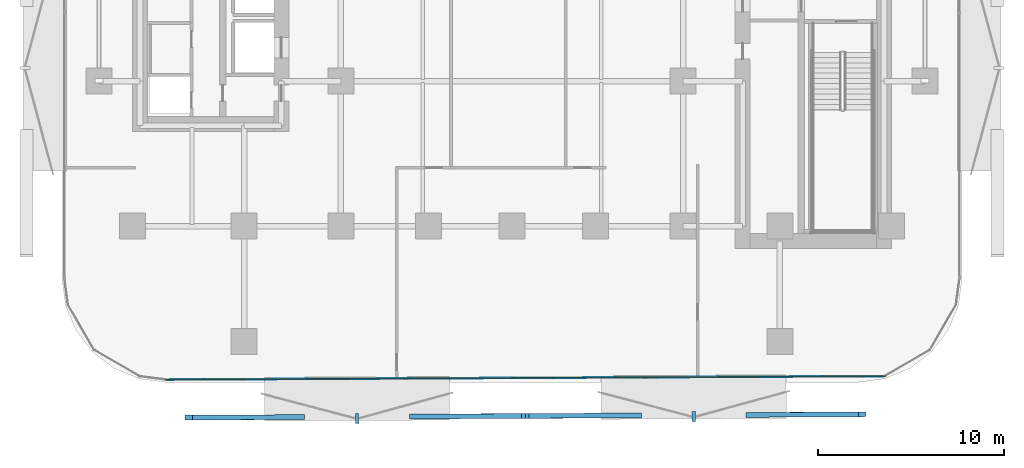
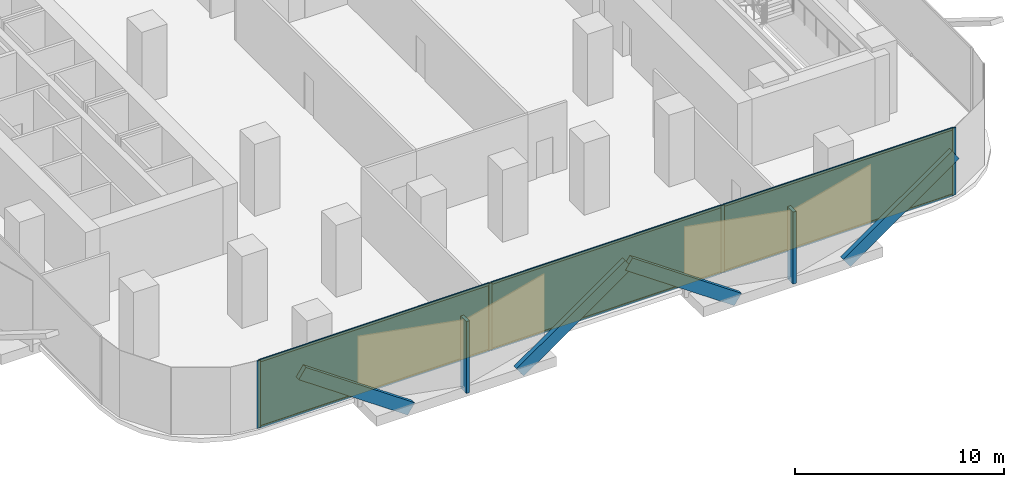
# One storey, part 7 of 15: 16 members, 3 plates, 1 curtain wall.
"""IFC4 building model written with IfcOpenShell, lengths in metres."""

from ifc_helpers import new_model, si_unit, direction, frame, frame_2d, origin, origin_2d, place, context, subcontext, project, spatial, rectangle, extrude, material, layer, layer_set, material_profile, profile_set, type_object, element, aggregate, save


model = new_model("IFC4")

# Units and contexts
model_context = context("Model", 3, precision=1e-05, world=origin(), true_north=direction((0.0, 1.0)))
body_context = subcontext(model_context, "Body", "Model", "MODEL_VIEW")
ifc_project = project(units=[si_unit("LENGTHUNIT", "METRE"), si_unit("AREAUNIT", "SQUARE_METRE"), si_unit("VOLUMEUNIT", "CUBIC_METRE"), si_unit("PLANEANGLEUNIT", "RADIAN"), si_unit("MASSUNIT", "GRAM", prefix="KILO")], contexts=[model_context])

# Member
ifc_material_1 = material(Name="Anodised Bronze Aluminium 6063-T6", Category="aluminium")
ifc_material_profile_1 = material_profile(ifc_material_1, rectangle(XDim=0.260009765625, YDim=0.699951171875, at=origin_2d()))
ifc_profile_set_1 = profile_set([ifc_material_profile_1], Name="Anodised Bronze Aluminium 6063-T6")
member_type_1 = type_object("IfcMemberType", Name="Bronze Diamond Solar-Screen Lattice Rib BDL-700", PredefinedType="MULLION", material=ifc_profile_set_1)
site_placement = place(None, origin())
building_placement = place(site_placement, origin())
storey_placement = place(building_placement, frame((0.0, 0.0, 47.0)))
member_1_placement = place(storey_placement, frame((6.7548828125, -28.777099609375, -0.1298828125), z_axis=(-0.820743653079, -0.003984998518, 0.57128274586), x_axis=(-0.00764700594, 0.999962717129, -0.004010941449)))
member_1 = element("IfcMember", 1, at=member_1_placement, type_object=member_type_1, Name="L11 Bronze Diamond Solar Screen Lattice Rib 41A", PredefinedType="MULLION", context=body_context, shape_type="SweptSolid", body=[
    extrude(rectangle(XDim=0.260009765625, YDim=0.699951171875, at=origin_2d()), origin(), (0.0, 0.0, 1.0), 7.351806640625),
])

member_2_placement = place(storey_placement, frame((12.788818359375, -28.747802734375, -0.1298828125), z_axis=(0.820743653079, 0.003984998518, 0.57128274586), x_axis=(0.00764700594, -0.999962717129, -0.004010941449)))
member_2 = element("IfcMember", 2, at=member_2_placement, type_object=member_type_1, Name="L11 Bronze Diamond Solar Screen Lattice Rib 41B", PredefinedType="MULLION", context=body_context, shape_type="SweptSolid", body=[
    extrude(rectangle(XDim=0.260009765625, YDim=0.699951171875, at=origin_2d()), origin(), (0.0, 0.0, 1.0), 7.351806640625),
])

member_3_placement = place(storey_placement, frame((-11.346923828125, -28.864990234375, -0.1298828125), z_axis=(-0.820743653079, -0.003984998518, 0.57128274586), x_axis=(-0.00764700594, 0.999962717129, -0.004010941449)))
member_3 = element("IfcMember", 3, at=member_3_placement, type_object=member_type_1, Name="L11 Bronze Diamond Solar Screen Lattice Rib 42A", PredefinedType="MULLION", context=body_context, shape_type="SweptSolid", body=[
    extrude(rectangle(XDim=0.260009765625, YDim=0.699951171875, at=origin_2d()), origin(), (0.0, 0.0, 1.0), 7.351806640625),
])

member_4_placement = place(storey_placement, frame((-5.31298828125, -28.835693359375, -0.1298828125), z_axis=(0.820743653079, 0.003984998518, 0.57128274586), x_axis=(0.00764700594, -0.999962717129, -0.004010941449)))
member_4 = element("IfcMember", 4, at=member_4_placement, type_object=member_type_1, Name="L11 Bronze Diamond Solar Screen Lattice Rib 42B", PredefinedType="MULLION", context=body_context, shape_type="SweptSolid", body=[
    extrude(rectangle(XDim=0.260009765625, YDim=0.699951171875, at=origin_2d()), origin(), (0.0, 0.0, 1.0), 7.351806640625),
])

ifc_material_2 = material(Name="Anodised Bronze Aluminium 6063-T6", Category="aluminium")
ifc_material_profile_2 = material_profile(ifc_material_2, rectangle(XDim=0.179931640625, YDim=0.5400390625, at=origin_2d()))
ifc_profile_set_2 = profile_set([ifc_material_profile_2], Name="Anodised Bronze Aluminium 6063-T6")
member_type_2 = type_object("IfcMemberType", Name="Bronze Solar-Screen Vertical Fold Fin BSF-540", PredefinedType="MULLION", material=ifc_profile_set_2)
member_5_placement = place(storey_placement, frame((9.772216796875, -28.842529296875, -0.1298828125), z_axis=(0.0, 0.0, 1.0), x_axis=(-0.999988059021, -0.004886902454, 0.0)))
member_5 = element("IfcMember", 5, at=member_5_placement, type_object=member_type_2, Name="L11 Bronze Solar Screen Vertical Fin 41", PredefinedType="MULLION", context=body_context, shape_type="SweptSolid", body=[
    extrude(rectangle(XDim=0.179931640625, YDim=0.5400390625, at=origin_2d()), origin(), (0.0, 0.0, 1.0), 4.199951171875),
])

member_6_placement = place(storey_placement, frame((-8.32958984375, -28.930419921875, -0.1298828125), z_axis=(0.0, 0.0, 1.0), x_axis=(-0.999988059021, -0.004886902454, 0.0)))
member_6 = element("IfcMember", 6, at=member_6_placement, type_object=member_type_2, Name="L11 Bronze Solar Screen Vertical Fin 42", PredefinedType="MULLION", context=body_context, shape_type="SweptSolid", body=[
    extrude(rectangle(XDim=0.179931640625, YDim=0.5400390625, at=origin_2d()), origin(), (0.0, 0.0, 1.0), 4.199951171875),
])

ifc_material_3 = material(Name="Anodised Bronze Aluminium 6063-T6", Category="aluminium")
ifc_material_profile_3 = material_profile(ifc_material_3, rectangle(XDim=0.06494140625, YDim=0.179931640625, at=origin_2d()))
ifc_profile_set_3 = profile_set([ifc_material_profile_3], Name="Anodised Bronze Aluminium 6063-T6")
member_type_3 = type_object("IfcMemberType", Name="CW-Z1 Mullion 65x180", PredefinedType="MULLION", material=ifc_profile_set_3)
member_7_placement = place(storey_placement, frame((19.98046875, -26.6728515625, 0.0), z_axis=(0.0, 0.0, 1.0), x_axis=(0.004849219095, -0.999988242468, 0.0)))
member_7 = element("IfcMember", 7, at=member_7_placement, type_object=member_type_3, Name="CW-Z1 mullion 1", PredefinedType="MULLION", context=body_context, shape_type="SweptSolid", body=[
    extrude(rectangle(XDim=0.06494140625, YDim=0.179931640625, at=origin_2d()), origin(), (0.0, 0.0, 1.0), 3.93994140625),
])

member_8_placement = place(storey_placement, frame((7.14501953125, -26.735107421875, 0.0), z_axis=(0.0, 0.0, 1.0), x_axis=(0.004849219095, -0.999988242468, 0.0)))
member_8 = element("IfcMember", 8, at=member_8_placement, type_object=member_type_3, Name="CW-Z1 mullion 2", PredefinedType="MULLION", context=body_context, shape_type="SweptSolid", body=[
    extrude(rectangle(XDim=0.06494140625, YDim=0.179931640625, at=origin_2d()), origin(), (0.0, 0.0, 1.0), 3.93994140625),
])

member_9_placement = place(storey_placement, frame((-5.722900390625, -26.797607421875, 0.0), z_axis=(0.0, 0.0, 1.0), x_axis=(0.004849219095, -0.999988242468, 0.0)))
member_9 = element("IfcMember", 9, at=member_9_placement, type_object=member_type_3, Name="CW-Z1 mullion 3", PredefinedType="MULLION", context=body_context, shape_type="SweptSolid", body=[
    extrude(rectangle(XDim=0.06494140625, YDim=0.179931640625, at=origin_2d()), origin(), (0.0, 0.0, 1.0), 3.93994140625),
])

member_10_placement = place(storey_placement, frame((-18.558349609375, -26.85986328125, 0.0), z_axis=(0.0, 0.0, 1.0), x_axis=(0.004849219095, -0.999988242468, 0.0)))
member_10 = element("IfcMember", 10, at=member_10_placement, type_object=member_type_3, Name="CW-Z1 mullion 4", PredefinedType="MULLION", context=body_context, shape_type="SweptSolid", body=[
    extrude(rectangle(XDim=0.06494140625, YDim=0.179931640625, at=origin_2d()), origin(), (0.0, 0.0, 1.0), 3.93994140625),
])

ifc_material_4 = material(Name="Anodised Bronze Aluminium 6063-T6", Category="aluminium")
ifc_material_profile_4 = material_profile(ifc_material_4, rectangle(XDim=0.06494140625, YDim=0.139892578125, at=origin_2d()))
ifc_profile_set_4 = profile_set([ifc_material_profile_4], Name="Anodised Bronze Aluminium 6063-T6")
member_type_4 = type_object("IfcMemberType", Name="CW-Z1 Transom 65x140", PredefinedType="USERDEFINED", material=ifc_profile_set_4)
member_11_placement = place(storey_placement, frame((19.947998046875, -26.673095703125, 0.032470703125), z_axis=(-0.99998821055, -0.004855796541, 0.0), x_axis=(0.004855796541, -0.99998821055, 0.0)))
member_11 = element("IfcMember", 11, at=member_11_placement, type_object=member_type_4, Name="CW-Z1 transom 1.1", ObjectType="TRANSOM", PredefinedType="USERDEFINED", context=body_context, shape_type="SweptSolid", body=[
    extrude(rectangle(XDim=0.06494140625, YDim=0.139892578125, at=origin_2d()), origin(), (0.0, 0.0, 1.0), 12.770751953125),
])

member_12_placement = place(storey_placement, frame((19.947998046875, -26.673095703125, 3.907470703125), z_axis=(-0.99998821055, -0.004855796541, 0.0), x_axis=(0.004855796541, -0.99998821055, 0.0)))
member_12 = element("IfcMember", 12, at=member_12_placement, type_object=member_type_4, Name="CW-Z1 transom 1.2", ObjectType="TRANSOM", PredefinedType="USERDEFINED", context=body_context, shape_type="SweptSolid", body=[
    extrude(rectangle(XDim=0.06494140625, YDim=0.139892578125, at=origin_2d()), origin(), (0.0, 0.0, 1.0), 12.770751953125),
])

member_13_placement = place(storey_placement, frame((7.112548828125, -26.7353515625, 0.032470703125), z_axis=(-0.999988270274, -0.004843481639, 0.0), x_axis=(0.004843481639, -0.999988270274, 0.0)))
member_13 = element("IfcMember", 13, at=member_13_placement, type_object=member_type_4, Name="CW-Z1 transom 2.1", ObjectType="TRANSOM", PredefinedType="USERDEFINED", context=body_context, shape_type="SweptSolid", body=[
    extrude(rectangle(XDim=0.06494140625, YDim=0.139892578125, at=origin_2d()), origin(), (0.0, 0.0, 1.0), 12.80322265625),
])

member_14_placement = place(storey_placement, frame((7.112548828125, -26.7353515625, 3.907470703125), z_axis=(-0.999988270274, -0.004843481639, 0.0), x_axis=(0.004843481639, -0.999988270274, 0.0)))
member_14 = element("IfcMember", 14, at=member_14_placement, type_object=member_type_4, Name="CW-Z1 transom 2.2", ObjectType="TRANSOM", PredefinedType="USERDEFINED", context=body_context, shape_type="SweptSolid", body=[
    extrude(rectangle(XDim=0.06494140625, YDim=0.139892578125, at=origin_2d()), origin(), (0.0, 0.0, 1.0), 12.80322265625),
])

member_15_placement = place(storey_placement, frame((-5.75537109375, -26.7978515625, 0.032470703125), z_axis=(-0.999988303196, -0.00483667968, 0.0), x_axis=(0.00483667968, -0.999988303196, 0.0)))
member_15 = element("IfcMember", 15, at=member_15_placement, type_object=member_type_4, Name="CW-Z1 transom 3.1", ObjectType="TRANSOM", PredefinedType="USERDEFINED", context=body_context, shape_type="SweptSolid", body=[
    extrude(rectangle(XDim=0.06494140625, YDim=0.139892578125, at=origin_2d()), origin(), (0.0, 0.0, 1.0), 12.770751953125),
])

member_16_placement = place(storey_placement, frame((-5.75537109375, -26.7978515625, 3.907470703125), z_axis=(-0.999988303196, -0.00483667968, 0.0), x_axis=(0.00483667968, -0.999988303196, 0.0)))
member_16 = element("IfcMember", 16, at=member_16_placement, type_object=member_type_4, Name="CW-Z1 transom 3.2", ObjectType="TRANSOM", PredefinedType="USERDEFINED", context=body_context, shape_type="SweptSolid", body=[
    extrude(rectangle(XDim=0.06494140625, YDim=0.139892578125, at=origin_2d()), origin(), (0.0, 0.0, 1.0), 12.770751953125),
])

# Plate
ifc_material_5 = material(Name="Low-E Solar Control Laminated Glass", Category="glass")
ifc_layer_1 = layer(ifc_material_5, 0.028076171875, Name="Low-E Solar Control Laminated Glass")
ifc_layer_set_1 = layer_set([ifc_layer_1], Name="Low-E Solar Control Laminated Glass")
plate_type = type_object("IfcPlateType", Name="CW-Z1 Low-E Double Glazed Panel 28mm", PredefinedType="CURTAIN_PANEL", material=ifc_layer_set_1)
plate_1_placement = place(storey_placement, frame((13.562744140625, -26.7041015625, 0.06494140625), z_axis=(0.0, 0.0, 1.0), x_axis=(-0.999988242468, -0.004849219095, 0.0)))
plate_1 = element("IfcPlate", 17, at=plate_1_placement, type_object=plate_type, Name="CW-Z1 panel 1.1", PredefinedType="CURTAIN_PANEL", context=body_context, shape_type="SweptSolid", body=[
    extrude(rectangle(XDim=12.7705078125, YDim=0.028076171875, at=origin_2d()), origin(), (0.0, 0.0, 1.0), 3.81005859375),
])

plate_2_placement = place(storey_placement, frame((0.7109375, -26.766357421875, 0.06494140625), z_axis=(0.0, 0.0, 1.0), x_axis=(-0.999988242468, -0.004849219095, 0.0)))
plate_2 = element("IfcPlate", 18, at=plate_2_placement, type_object=plate_type, Name="CW-Z1 panel 2.1", PredefinedType="CURTAIN_PANEL", context=body_context, shape_type="SweptSolid", body=[
    extrude(rectangle(XDim=12.802978515625, YDim=0.028076171875, at=origin_2d()), origin(), (0.0, 0.0, 1.0), 3.81005859375),
])

plate_3_placement = place(storey_placement, frame((-12.140625, -26.82861328125, 0.06494140625), z_axis=(0.0, 0.0, 1.0), x_axis=(-0.999988242468, -0.004849219095, 0.0)))
plate_3 = element("IfcPlate", 19, at=plate_3_placement, type_object=plate_type, Name="CW-Z1 panel 3.1", PredefinedType="CURTAIN_PANEL", context=body_context, shape_type="SweptSolid", body=[
    extrude(rectangle(XDim=12.7705078125, YDim=0.028076171875, at=origin_2d()), origin(), (0.0, 0.0, 1.0), 3.81005859375),
])

# Site, building, storey
site = spatial("IfcSite", under=ifc_project, at=site_placement, CompositionType="ELEMENT")
building = spatial("IfcBuilding", under=site, at=building_placement, Name="Khairoan Windgate Tower", CompositionType="ELEMENT")
storey = spatial("IfcBuildingStorey", under=building, at=storey_placement, Name="L11", CompositionType="ELEMENT", Elevation=47.0)

# Curtain wall
ifc_material_6 = material(Name="Anodised Bronze Aluminium 6063-T6", Category="aluminium")
ifc_layer_2 = layer(ifc_material_6, 0.179931640625, Name="Anodised Bronze Aluminium 6063-T6")
ifc_layer_set_2 = layer_set([ifc_layer_2], Name="Anodised Bronze Aluminium 6063-T6")
curtain_wall_type = type_object("IfcCurtainWallType", Name="Low-Rise Office Unitised Curtain Wall CW-Z1", PredefinedType="NOTDEFINED", material=ifc_layer_set_2)
curtain_wall_placement = place(storey_placement, frame((20.012939453125, -26.6728515625, 0.0), z_axis=(0.0, 0.0, 1.0), x_axis=(-0.999988235487, -0.004850658525, 0.0)))
curtain_wall = element("IfcCurtainWall", 20, at=curtain_wall_placement, inside=storey, type_object=curtain_wall_type, Name="L11 Unitised Curtain Wall 1", PredefinedType="NOTDEFINED", context=body_context, shape_type="SweptSolid", body=[
    extrude(rectangle(XDim=38.604248046875, YDim=0.010009765625, at=frame_2d((19.30224609375, 0.0))), origin(), (0.0, 0.0, 1.0), 3.93994140625),
])

aggregate(curtain_wall, [member_7, member_8, member_9, member_10, member_11, member_12, plate_1, member_13, member_14, plate_2, member_15, member_16, plate_3, member_1, member_2, member_5, member_3, member_4, member_6])

save(model, "model.ifc")
